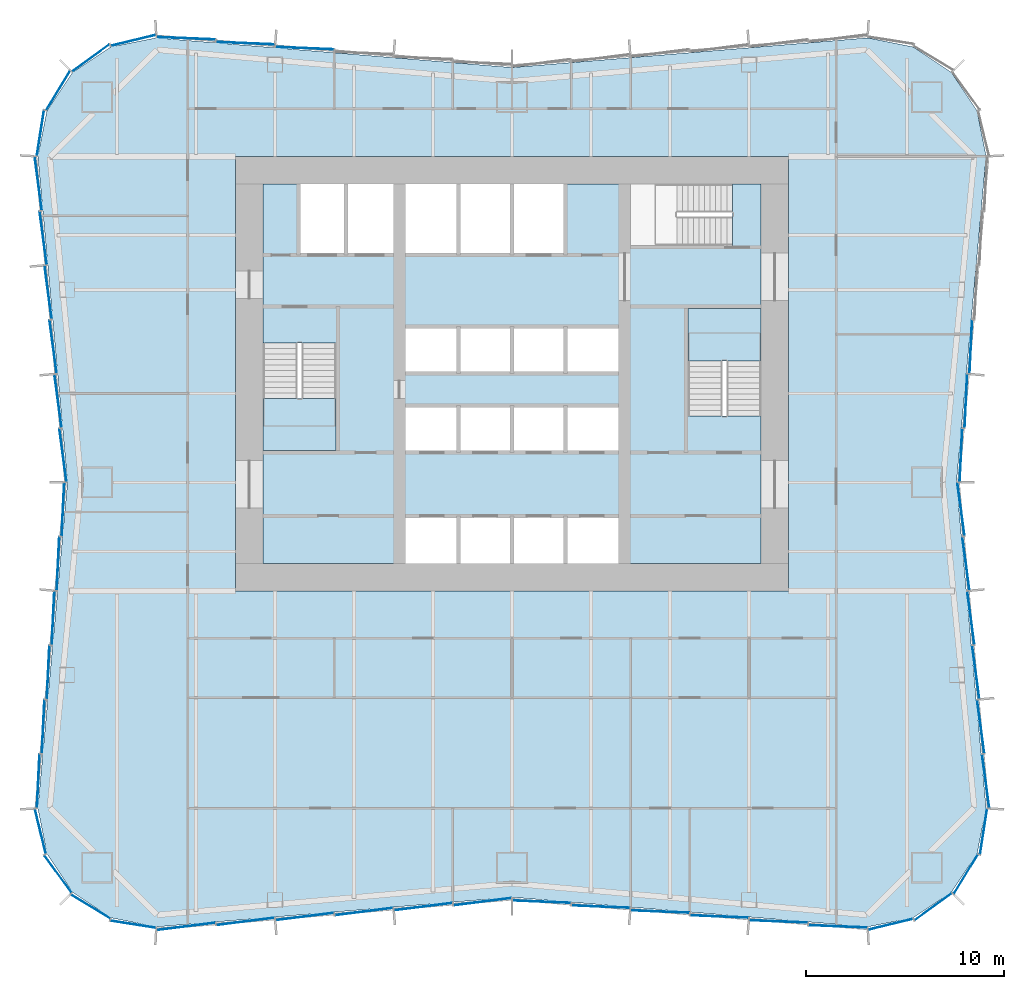
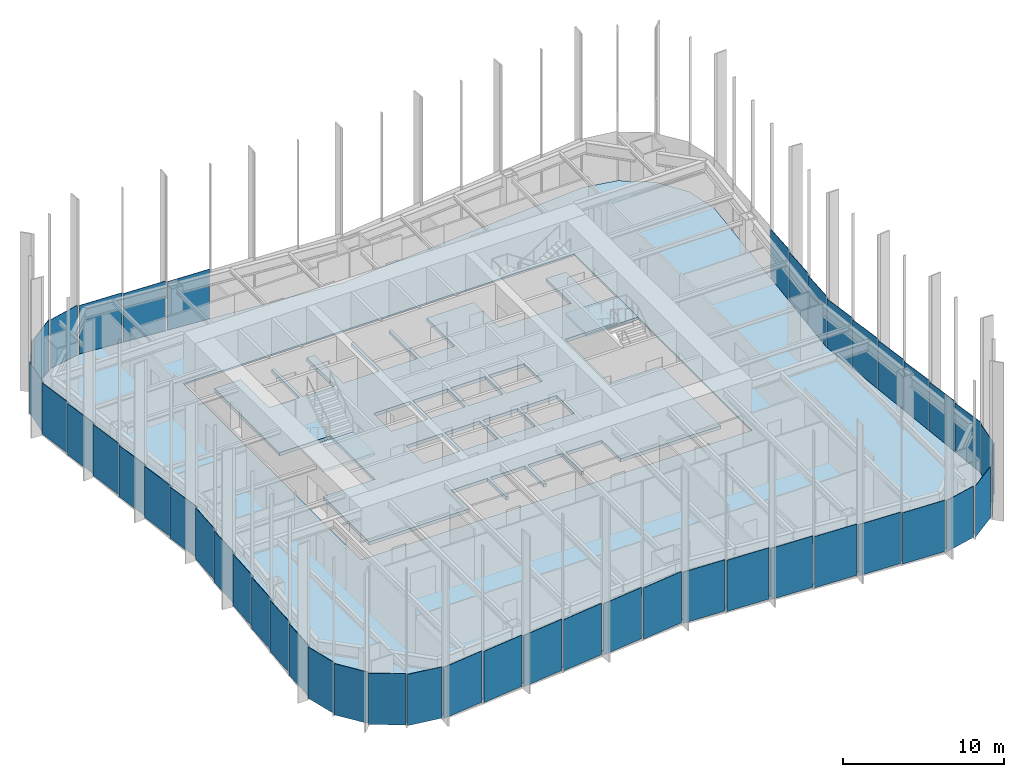
# One storey, part 8 of 13: 48 plates, 4 slabs, 9 elements without a shape of their own.
"""IFC4 building model written with IfcOpenShell, lengths in metres."""

from ifc_helpers import new_model, si_unit, direction, frame, origin, origin_2d, place, context, subcontext, project, spatial, polyline, rectangle, outline, extrude, material, layer, layer_set, type_object, element, aggregate, save


model = new_model("IFC4")

# Units and contexts
model_context = context("Model", 3, precision=1e-05, world=origin(), true_north=direction((0.0, 1.0)))
body_context = subcontext(model_context, "Body", "Model", "MODEL_VIEW")
ifc_project = project(units=[si_unit("LENGTHUNIT", "METRE"), si_unit("AREAUNIT", "SQUARE_METRE"), si_unit("VOLUMEUNIT", "CUBIC_METRE"), si_unit("PLANEANGLEUNIT", "RADIAN"), si_unit("MASSUNIT", "GRAM", prefix="KILO")], contexts=[model_context])

# Site, building, storey
site_placement = place(None, origin())
site = spatial("IfcSite", under=ifc_project, at=site_placement, CompositionType="ELEMENT")
building_placement = place(site_placement, origin())
building = spatial("IfcBuilding", under=site, at=building_placement, Name="Verdant Reach Tower", CompositionType="ELEMENT")
storey_placement = place(building_placement, frame((0.0, 0.0, 14.0)))
storey = spatial("IfcBuildingStorey", under=building, at=storey_placement, Name="L02", CompositionType="ELEMENT", Elevation=14.0)

# Stair, slab
ifc_material_1 = material(Name="Concrete C40/50", Category="concrete")
stair_type = type_object("IfcStairType", Name="CO-STAIR", PredefinedType="HALF_TURN_STAIR", material=ifc_material_1)
stair_1_placement = place(storey_placement, origin())
stair_1 = element("IfcStair", 1, at=stair_1_placement, inside=storey, type_object=stair_type, Name="L02 Exit stair 1", PredefinedType="HALF_TURN_STAIR")
ifc_layer_1 = layer(ifc_material_1, 0.199951171875)
ifc_layer_set_1 = layer_set([ifc_layer_1], Name="CO-STAIR-LANDING")
slab_type_1 = type_object("IfcSlabType", Name="CO-STAIR-LANDING", PredefinedType="LANDING", material=ifc_layer_set_1)
slab_1_placement = place(storey_placement, frame((0.0, 0.0, 1.800048828125)))
slab_1 = element("IfcSlab", 2, at=slab_1_placement, type_object=slab_type_1, Name="ST-1 landing 1", PredefinedType="LANDING", context=body_context, shape_type="SweptSolid", body=[
    extrude(outline(polyline([(-12.60009765625, 26.75), (-12.60009765625, 24.10009765625), (-8.89990234375, 24.10009765625), (-8.89990234375, 26.75), (-12.60009765625, 26.75)])), origin(), (0.0, 0.0, 1.0), 0.199951171875),
])
aggregate(stair_1, [slab_1])

stair_2_placement = place(storey_placement, origin())
stair_2 = element("IfcStair", 3, at=stair_2_placement, inside=storey, type_object=stair_type, Name="L02 Exit stair 2", PredefinedType="HALF_TURN_STAIR")
slab_2_placement = place(storey_placement, frame((0.0, 0.0, 1.800048828125)))
slab_2 = element("IfcSlab", 4, at=slab_2_placement, type_object=slab_type_1, Name="ST-2 landing 1", PredefinedType="LANDING", context=body_context, shape_type="SweptSolid", body=[
    extrude(outline(polyline([(12.60009765625, 28.64990234375), (12.60009765625, 31.300048828125), (8.89990234375, 31.300048828125), (8.89990234375, 28.64990234375), (12.60009765625, 28.64990234375)])), origin(), (0.0, 0.0, 1.0), 0.199951171875),
])
aggregate(stair_2, [slab_2])

# Curtain wall, plates
ifc_material_2 = material(Name="Anodised aluminium", Category="aluminium")
curtain_wall_type = type_object("IfcCurtainWallType", Name="EN-CW SYSTEM Z0", PredefinedType="NOTDEFINED", material=ifc_material_2)
curtain_wall_1_placement = place(storey_placement, origin())
curtain_wall_1 = element("IfcCurtainWall", 5, at=curtain_wall_1_placement, inside=storey, type_object=curtain_wall_type, Name="Curtain wall south-east corner, L02", PredefinedType="NOTDEFINED")
ifc_material_3 = material(Name="Tinted glass with champagne spandrel", Category="glass")
ifc_layer_2 = layer(ifc_material_3, 0.031982421875)
ifc_layer_set_2 = layer_set([ifc_layer_2], Name="EN-PANEL CHAMPAGNE")
plate_type_1 = type_object("IfcPlateType", Name="EN-PANEL CHAMPAGNE", PredefinedType="CURTAIN_PANEL", material=ifc_layer_set_2)
plate_1_placement = place(storey_placement, frame((22.974609375, 2.67626953125, -0.22998046875), z_axis=(0.0, 0.0, 1.0), x_axis=(0.520291583159, 0.853988681713, 0.0)))
plate_1 = element("IfcPlate", 6, at=plate_1_placement, type_object=plate_type_1, Name="Glass panel south-east corner 3.1, L02", PredefinedType="CURTAIN_PANEL", context=body_context, shape_type="SweptSolid", body=[
    extrude(rectangle(XDim=2.32421875, YDim=0.031982421875, at=origin_2d()), origin(), (0.0, 0.0, 1.0), 3.8798828125),
])
plate_2_placement = place(storey_placement, frame((23.86767578125, 4.830078125, -0.22998046875), z_axis=(0.0, 0.0, 1.0), x_axis=(0.154210737778, 0.988037979206, 0.0)))
plate_2 = element("IfcPlate", 7, at=plate_2_placement, type_object=plate_type_1, Name="Glass panel south-east corner 4.1, L02", PredefinedType="CURTAIN_PANEL", context=body_context, shape_type="SweptSolid", body=[
    extrude(rectangle(XDim=2.31884765625, YDim=0.031982421875, at=origin_2d()), origin(), (0.0, 0.0, 1.0), 3.8798828125),
])

curtain_wall_2_placement = place(storey_placement, origin())
curtain_wall_2 = element("IfcCurtainWall", 8, at=curtain_wall_2_placement, inside=storey, type_object=curtain_wall_type, Name="Curtain wall east, L02", PredefinedType="NOTDEFINED")
plate_3_placement = place(storey_placement, frame((23.724609375, 10.134033203125, -0.22998046875), z_axis=(0.0, 0.0, 1.0), x_axis=(-0.132160009881, 0.99122839537, 0.0)))
plate_3 = element("IfcPlate", 9, at=plate_3_placement, type_object=plate_type_1, Name="Glass panel east face part 1 2.1, L02", PredefinedType="CURTAIN_PANEL", context=body_context, shape_type="SweptSolid", body=[
    extrude(rectangle(XDim=2.705322265625, YDim=0.031982421875, at=origin_2d()), origin(), (0.0, 0.0, 1.0), 3.8798828125),
])
plate_4_placement = place(storey_placement, frame((23.474609375, 12.884033203125, -0.22998046875), z_axis=(0.0, 0.0, 1.0), x_axis=(-0.132160009881, 0.99122839537, 0.0)))
plate_4 = element("IfcPlate", 10, at=plate_4_placement, type_object=plate_type_1, Name="Glass panel east face part 1 3.1, L02", PredefinedType="CURTAIN_PANEL", context=body_context, shape_type="SweptSolid", body=[
    extrude(rectangle(XDim=2.705322265625, YDim=0.031982421875, at=origin_2d()), origin(), (0.0, 0.0, 1.0), 3.8798828125),
])
plate_5_placement = place(storey_placement, frame((23.224609375, 29.365966796875, -0.22998046875), z_axis=(0.0, 0.0, 1.0), x_axis=(0.04875265175, 0.998810882473, 0.0)))
plate_5 = element("IfcPlate", 11, at=plate_5_placement, type_object=plate_type_1, Name="Glass panel east face part 2 3.1, L02", PredefinedType="CURTAIN_PANEL", context=body_context, shape_type="SweptSolid", body=[
    extrude(rectangle(XDim=2.705322265625, YDim=0.031982421875, at=origin_2d()), origin(), (0.0, 0.0, 1.0), 3.8798828125),
])

# Curtain wall, plate
curtain_wall_3_placement = place(storey_placement, origin())
curtain_wall_3 = element("IfcCurtainWall", 12, at=curtain_wall_3_placement, inside=storey, type_object=curtain_wall_type, Name="Curtain wall north-west corner, L02", PredefinedType="NOTDEFINED")
plate_6_placement = place(storey_placement, frame((-19.169921875, 44.86767578125, -0.22998046875), z_axis=(0.0, 0.0, 1.0), x_axis=(-0.97166347331, -0.236368556782, 0.0)))
plate_6 = element("IfcPlate", 13, at=plate_6_placement, type_object=plate_type_1, Name="Glass panel north-west corner 1.1, L02", PredefinedType="CURTAIN_PANEL", context=body_context, shape_type="SweptSolid", body=[
    extrude(rectangle(XDim=2.318603515625, YDim=0.031982421875, at=origin_2d()), origin(), (0.0, 0.0, 1.0), 3.8798828125),
])

# Curtain wall, plates
curtain_wall_4_placement = place(storey_placement, origin())
curtain_wall_4 = element("IfcCurtainWall", 14, at=curtain_wall_4_placement, inside=storey, type_object=curtain_wall_type, Name="Curtain wall west, L02", PredefinedType="NOTDEFINED")
plate_7_placement = place(storey_placement, frame((-22.724853515625, 23.870361328125, -0.22998046875), z_axis=(0.0, 0.0, 1.0), x_axis=(0.132307913434, -0.991208664229, 0.0)))
plate_7 = element("IfcPlate", 15, at=plate_7_placement, type_object=plate_type_1, Name="Glass panel west face part 1 6.1, L02", PredefinedType="CURTAIN_PANEL", context=body_context, shape_type="SweptSolid", body=[
    extrude(rectangle(XDim=2.6962890625, YDim=0.031982421875, at=origin_2d()), origin(), (0.0, 0.0, 1.0), 3.8798828125),
])
plate_8_placement = place(storey_placement, frame((-22.724853515625, 21.129638671875, -0.22998046875), z_axis=(0.0, 0.0, 1.0), x_axis=(-0.048901687644, -0.998803596782, 0.0)))
plate_8 = element("IfcPlate", 16, at=plate_8_placement, type_object=plate_type_1, Name="Glass panel west face part 2 1.1, L02", PredefinedType="CURTAIN_PANEL", context=body_context, shape_type="SweptSolid", body=[
    extrude(rectangle(XDim=2.6962890625, YDim=0.031982421875, at=origin_2d()), origin(), (0.0, 0.0, 1.0), 3.8798828125),
])

curtain_wall_5_placement = place(storey_placement, origin())
curtain_wall_5 = element("IfcCurtainWall", 17, at=curtain_wall_5_placement, inside=storey, type_object=curtain_wall_type, Name="Curtain wall south, L02", PredefinedType="NOTDEFINED")
plate_9_placement = place(storey_placement, frame((-10.49169921875, 0.525390625, -0.22998046875), z_axis=(0.0, 0.0, 1.0), x_axis=(0.992194034542, 0.124703639961, 0.0)))
plate_9 = element("IfcPlate", 18, at=plate_9_placement, type_object=plate_type_1, Name="Glass panel south face part 1 3.1, L02", PredefinedType="CURTAIN_PANEL", context=body_context, shape_type="SweptSolid", body=[
    extrude(rectangle(XDim=2.954345703125, YDim=0.031982421875, at=origin_2d()), origin(), (0.0, 0.0, 1.0), 3.8798828125),
])
plate_10_placement = place(storey_placement, frame((-7.49169921875, 0.775390625, -0.22998046875), z_axis=(0.0, 0.0, 1.0), x_axis=(0.992194034542, 0.124703639961, 0.0)))
plate_10 = element("IfcPlate", 19, at=plate_10_placement, type_object=plate_type_1, Name="Glass panel south face part 1 4.1, L02", PredefinedType="CURTAIN_PANEL", context=body_context, shape_type="SweptSolid", body=[
    extrude(rectangle(XDim=2.954345703125, YDim=0.031982421875, at=origin_2d()), origin(), (0.0, 0.0, 1.0), 3.8798828125),
])
plate_11_placement = place(storey_placement, frame((-4.49169921875, 1.025390625, -0.22998046875), z_axis=(0.0, 0.0, 1.0), x_axis=(0.992194034542, 0.124703639961, 0.0)))
plate_11 = element("IfcPlate", 20, at=plate_11_placement, type_object=plate_type_1, Name="Glass panel south face part 1 5.1, L02", PredefinedType="CURTAIN_PANEL", context=body_context, shape_type="SweptSolid", body=[
    extrude(rectangle(XDim=2.954345703125, YDim=0.031982421875, at=origin_2d()), origin(), (0.0, 0.0, 1.0), 3.8798828125),
])
plate_12_placement = place(storey_placement, frame((13.49169921875, 0.275390625, -0.22998046875), z_axis=(0.0, 0.0, 1.0), x_axis=(0.999149202059, -0.041241629766, 0.0)))
plate_12 = element("IfcPlate", 21, at=plate_12_placement, type_object=plate_type_1, Name="Glass panel south face part 2 5.1, L02", PredefinedType="CURTAIN_PANEL", context=body_context, shape_type="SweptSolid", body=[
    extrude(rectangle(XDim=2.954345703125, YDim=0.031982421875, at=origin_2d()), origin(), (0.0, 0.0, 1.0), 3.8798828125),
])
plate_13_placement = place(storey_placement, frame((16.498779296875, 0.025146484375, -0.22998046875), z_axis=(0.0, 0.0, 1.0), x_axis=(0.999162442933, -0.040919587398, 0.0)))
plate_13 = element("IfcPlate", 22, at=plate_13_placement, type_object=plate_type_1, Name="Glass panel south face part 2 6.1, L02", PredefinedType="CURTAIN_PANEL", context=body_context, shape_type="SweptSolid", body=[
    extrude(rectangle(XDim=2.96826171875, YDim=0.031982421875, at=origin_2d()), origin(), (0.0, 0.0, 1.0), 3.8798828125),
])

# Plate
ifc_material_4 = material(Name="Tinted glass with copper spandrel", Category="glass")
ifc_layer_3 = layer(ifc_material_4, 0.031982421875)
ifc_layer_set_3 = layer_set([ifc_layer_3], Name="EN-PANEL COPPER")
plate_type_2 = type_object("IfcPlateType", Name="EN-PANEL COPPER", PredefinedType="CURTAIN_PANEL", material=ifc_layer_set_3)
plate_14_placement = place(storey_placement, frame((23.224609375, 15.634033203125, -0.22998046875), z_axis=(0.0, 0.0, 1.0), x_axis=(-0.132160009881, 0.99122839537, 0.0)))
plate_14 = element("IfcPlate", 23, at=plate_14_placement, type_object=plate_type_2, Name="Glass panel east face part 1 4.1, L02", PredefinedType="CURTAIN_PANEL", context=body_context, shape_type="SweptSolid", body=[
    extrude(rectangle(XDim=2.705322265625, YDim=0.031982421875, at=origin_2d()), origin(), (0.0, 0.0, 1.0), 3.8798828125),
])

plate_15_placement = place(storey_placement, frame((22.974609375, 18.384033203125, -0.22998046875), z_axis=(0.0, 0.0, 1.0), x_axis=(-0.132160009881, 0.99122839537, 0.0)))
plate_15 = element("IfcPlate", 24, at=plate_15_placement, type_object=plate_type_2, Name="Glass panel east face part 1 5.1, L02", PredefinedType="CURTAIN_PANEL", context=body_context, shape_type="SweptSolid", body=[
    extrude(rectangle(XDim=2.705322265625, YDim=0.031982421875, at=origin_2d()), origin(), (0.0, 0.0, 1.0), 3.8798828125),
])

plate_16_placement = place(storey_placement, frame((22.724853515625, 21.129638671875, -0.22998046875), z_axis=(0.0, 0.0, 1.0), x_axis=(-0.132307913434, 0.991208664229, 0.0)))
plate_16 = element("IfcPlate", 25, at=plate_16_placement, type_object=plate_type_2, Name="Glass panel east face part 1 6.1, L02", PredefinedType="CURTAIN_PANEL", context=body_context, shape_type="SweptSolid", body=[
    extrude(rectangle(XDim=2.6962890625, YDim=0.031982421875, at=origin_2d()), origin(), (0.0, 0.0, 1.0), 3.8798828125),
])

# Curtain wall, plates
curtain_wall_6_placement = place(storey_placement, origin())
curtain_wall_6 = element("IfcCurtainWall", 26, at=curtain_wall_6_placement, inside=storey, type_object=curtain_wall_type, Name="Curtain wall north, L02", PredefinedType="NOTDEFINED")
plate_17_placement = place(storey_placement, frame((-10.49169921875, 44.474609375, -0.22998046875), z_axis=(0.0, 0.0, 1.0), x_axis=(-0.999149202059, 0.041241629766, 0.0)))
plate_17 = element("IfcPlate", 27, at=plate_17_placement, type_object=plate_type_2, Name="Glass panel north face part 2 4.1, L02", PredefinedType="CURTAIN_PANEL", context=body_context, shape_type="SweptSolid", body=[
    extrude(rectangle(XDim=2.954345703125, YDim=0.031982421875, at=origin_2d()), origin(), (0.0, 0.0, 1.0), 3.8798828125),
])
plate_18_placement = place(storey_placement, frame((-13.49169921875, 44.724609375, -0.22998046875), z_axis=(0.0, 0.0, 1.0), x_axis=(-0.999149202059, 0.041241629766, 0.0)))
plate_18 = element("IfcPlate", 28, at=plate_18_placement, type_object=plate_type_2, Name="Glass panel north face part 2 5.1, L02", PredefinedType="CURTAIN_PANEL", context=body_context, shape_type="SweptSolid", body=[
    extrude(rectangle(XDim=2.954345703125, YDim=0.031982421875, at=origin_2d()), origin(), (0.0, 0.0, 1.0), 3.8798828125),
])

# Plate
plate_19_placement = place(storey_placement, frame((-21.32373046875, 43.974609375, -0.22998046875), z_axis=(0.0, 0.0, 1.0), x_axis=(-0.807456745624, -0.589926778461, 0.0)))
plate_19 = element("IfcPlate", 29, at=plate_19_placement, type_object=plate_type_2, Name="Glass panel north-west corner 2.1, L02", PredefinedType="CURTAIN_PANEL", context=body_context, shape_type="SweptSolid", body=[
    extrude(rectangle(XDim=2.32421875, YDim=0.031982421875, at=origin_2d()), origin(), (0.0, 0.0, 1.0), 3.8798828125),
])

plate_20_placement = place(storey_placement, frame((-22.974609375, 42.32373046875, -0.22998046875), z_axis=(0.0, 0.0, 1.0), x_axis=(-0.520291583159, -0.853988681713, 0.0)))
plate_20 = element("IfcPlate", 30, at=plate_20_placement, type_object=plate_type_2, Name="Glass panel north-west corner 3.1, L02", PredefinedType="CURTAIN_PANEL", context=body_context, shape_type="SweptSolid", body=[
    extrude(rectangle(XDim=2.32421875, YDim=0.031982421875, at=origin_2d()), origin(), (0.0, 0.0, 1.0), 3.8798828125),
])

plate_21_placement = place(storey_placement, frame((-23.86767578125, 40.169921875, -0.22998046875), z_axis=(0.0, 0.0, 1.0), x_axis=(-0.154210737778, -0.988037979206, 0.0)))
plate_21 = element("IfcPlate", 31, at=plate_21_placement, type_object=plate_type_2, Name="Glass panel north-west corner 4.1, L02", PredefinedType="CURTAIN_PANEL", context=body_context, shape_type="SweptSolid", body=[
    extrude(rectangle(XDim=2.31884765625, YDim=0.031982421875, at=origin_2d()), origin(), (0.0, 0.0, 1.0), 3.8798828125),
])

aggregate(curtain_wall_3, [plate_6, plate_19, plate_20, plate_21])

plate_22_placement = place(storey_placement, frame((-23.974609375, 37.623046875, -0.22998046875), z_axis=(0.0, 0.0, 1.0), x_axis=(0.131792939527, -0.991277267514, 0.0)))
plate_22 = element("IfcPlate", 32, at=plate_22_placement, type_object=plate_type_2, Name="Glass panel west face part 1 1.1, L02", PredefinedType="CURTAIN_PANEL", context=body_context, shape_type="SweptSolid", body=[
    extrude(rectangle(XDim=2.7197265625, YDim=0.031982421875, at=origin_2d()), origin(), (0.0, 0.0, 1.0), 3.8798828125),
])

plate_23_placement = place(storey_placement, frame((-23.724609375, 34.865966796875, -0.22998046875), z_axis=(0.0, 0.0, 1.0), x_axis=(0.132160009881, -0.99122839537, 0.0)))
plate_23 = element("IfcPlate", 33, at=plate_23_placement, type_object=plate_type_2, Name="Glass panel west face part 1 2.1, L02", PredefinedType="CURTAIN_PANEL", context=body_context, shape_type="SweptSolid", body=[
    extrude(rectangle(XDim=2.705322265625, YDim=0.031982421875, at=origin_2d()), origin(), (0.0, 0.0, 1.0), 3.8798828125),
])

plate_24_placement = place(storey_placement, frame((-22.974609375, 18.384033203125, -0.22998046875), z_axis=(0.0, 0.0, 1.0), x_axis=(-0.04875265175, -0.998810882473, 0.0)))
plate_24 = element("IfcPlate", 34, at=plate_24_placement, type_object=plate_type_2, Name="Glass panel west face part 2 2.1, L02", PredefinedType="CURTAIN_PANEL", context=body_context, shape_type="SweptSolid", body=[
    extrude(rectangle(XDim=2.705322265625, YDim=0.031982421875, at=origin_2d()), origin(), (0.0, 0.0, 1.0), 3.8798828125),
])

plate_25_placement = place(storey_placement, frame((-23.224609375, 15.634033203125, -0.22998046875), z_axis=(0.0, 0.0, 1.0), x_axis=(-0.04875265175, -0.998810882473, 0.0)))
plate_25 = element("IfcPlate", 35, at=plate_25_placement, type_object=plate_type_2, Name="Glass panel west face part 2 3.1, L02", PredefinedType="CURTAIN_PANEL", context=body_context, shape_type="SweptSolid", body=[
    extrude(rectangle(XDim=2.705322265625, YDim=0.031982421875, at=origin_2d()), origin(), (0.0, 0.0, 1.0), 3.8798828125),
])

plate_26_placement = place(storey_placement, frame((-23.474609375, 12.884033203125, -0.22998046875), z_axis=(0.0, 0.0, 1.0), x_axis=(-0.04875265175, -0.998810882473, 0.0)))
plate_26 = element("IfcPlate", 36, at=plate_26_placement, type_object=plate_type_2, Name="Glass panel west face part 2 4.1, L02", PredefinedType="CURTAIN_PANEL", context=body_context, shape_type="SweptSolid", body=[
    extrude(rectangle(XDim=2.705322265625, YDim=0.031982421875, at=origin_2d()), origin(), (0.0, 0.0, 1.0), 3.8798828125),
])

# Curtain wall, plates
curtain_wall_7_placement = place(storey_placement, origin())
curtain_wall_7 = element("IfcCurtainWall", 37, at=curtain_wall_7_placement, inside=storey, type_object=curtain_wall_type, Name="Curtain wall south-west corner, L02", PredefinedType="NOTDEFINED")
plate_27_placement = place(storey_placement, frame((-23.86767578125, 4.830078125, -0.22998046875), z_axis=(0.0, 0.0, 1.0), x_axis=(0.236346786246, -0.97166876899, 0.0)))
plate_27 = element("IfcPlate", 38, at=plate_27_placement, type_object=plate_type_2, Name="Glass panel south-west corner 1.1, L02", PredefinedType="CURTAIN_PANEL", context=body_context, shape_type="SweptSolid", body=[
    extrude(rectangle(XDim=2.31884765625, YDim=0.031982421875, at=origin_2d()), origin(), (0.0, 0.0, 1.0), 3.8798828125),
])
plate_28_placement = place(storey_placement, frame((-22.974609375, 2.67626953125, -0.22998046875), z_axis=(0.0, 0.0, 1.0), x_axis=(0.589926778461, -0.807456745624, 0.0)))
plate_28 = element("IfcPlate", 39, at=plate_28_placement, type_object=plate_type_2, Name="Glass panel south-west corner 2.1, L02", PredefinedType="CURTAIN_PANEL", context=body_context, shape_type="SweptSolid", body=[
    extrude(rectangle(XDim=2.32421875, YDim=0.031982421875, at=origin_2d()), origin(), (0.0, 0.0, 1.0), 3.8798828125),
])

# Plate
plate_29_placement = place(storey_placement, frame((-1.495849609375, 1.275146484375, -0.22998046875), z_axis=(0.0, 0.0, 1.0), x_axis=(0.992179679439, 0.124817802047, 0.0)))
plate_29 = element("IfcPlate", 40, at=plate_29_placement, type_object=plate_type_2, Name="Glass panel south face part 1 6.1, L02", PredefinedType="CURTAIN_PANEL", context=body_context, shape_type="SweptSolid", body=[
    extrude(rectangle(XDim=2.946044921875, YDim=0.031982421875, at=origin_2d()), origin(), (0.0, 0.0, 1.0), 3.8798828125),
])

plate_30_placement = place(storey_placement, frame((1.495849609375, 1.275146484375, -0.22998046875), z_axis=(0.0, 0.0, 1.0), x_axis=(0.999144450138, -0.041356592674, 0.0)))
plate_30 = element("IfcPlate", 41, at=plate_30_placement, type_object=plate_type_2, Name="Glass panel south face part 2 1.1, L02", PredefinedType="CURTAIN_PANEL", context=body_context, shape_type="SweptSolid", body=[
    extrude(rectangle(XDim=2.946044921875, YDim=0.031982421875, at=origin_2d()), origin(), (0.0, 0.0, 1.0), 3.8798828125),
])

ifc_material_5 = material(Name="Tinted glass with dark bronze spandrel", Category="glass")
ifc_layer_4 = layer(ifc_material_5, 0.031982421875)
ifc_layer_set_4 = layer_set([ifc_layer_4], Name="EN-PANEL DARK")
plate_type_3 = type_object("IfcPlateType", Name="EN-PANEL DARK", PredefinedType="CURTAIN_PANEL", material=ifc_layer_set_4)
plate_31_placement = place(storey_placement, frame((19.169921875, 0.13232421875, -0.22998046875), z_axis=(0.0, 0.0, 1.0), x_axis=(0.97166347331, 0.236368556782, 0.0)))
plate_31 = element("IfcPlate", 42, at=plate_31_placement, type_object=plate_type_3, Name="Glass panel south-east corner 1.1, L02", PredefinedType="CURTAIN_PANEL", context=body_context, shape_type="SweptSolid", body=[
    extrude(rectangle(XDim=2.318603515625, YDim=0.031982421875, at=origin_2d()), origin(), (0.0, 0.0, 1.0), 3.8798828125),
])

plate_32_placement = place(storey_placement, frame((21.32373046875, 1.025390625, -0.22998046875), z_axis=(0.0, 0.0, 1.0), x_axis=(0.807456745624, 0.589926778461, 0.0)))
plate_32 = element("IfcPlate", 43, at=plate_32_placement, type_object=plate_type_3, Name="Glass panel south-east corner 2.1, L02", PredefinedType="CURTAIN_PANEL", context=body_context, shape_type="SweptSolid", body=[
    extrude(rectangle(XDim=2.32421875, YDim=0.031982421875, at=origin_2d()), origin(), (0.0, 0.0, 1.0), 3.8798828125),
])

aggregate(curtain_wall_1, [plate_31, plate_32, plate_1, plate_2])

plate_33_placement = place(storey_placement, frame((23.974609375, 7.376953125, -0.22998046875), z_axis=(0.0, 0.0, 1.0), x_axis=(-0.131792939527, 0.991277267514, 0.0)))
plate_33 = element("IfcPlate", 44, at=plate_33_placement, type_object=plate_type_3, Name="Glass panel east face part 1 1.1, L02", PredefinedType="CURTAIN_PANEL", context=body_context, shape_type="SweptSolid", body=[
    extrude(rectangle(XDim=2.7197265625, YDim=0.031982421875, at=origin_2d()), origin(), (0.0, 0.0, 1.0), 3.8798828125),
])

plate_34_placement = place(storey_placement, frame((22.724853515625, 23.870361328125, -0.22998046875), z_axis=(0.0, 0.0, 1.0), x_axis=(0.048901687644, 0.998803596782, 0.0)))
plate_34 = element("IfcPlate", 45, at=plate_34_placement, type_object=plate_type_3, Name="Glass panel east face part 2 1.1, L02", PredefinedType="CURTAIN_PANEL", context=body_context, shape_type="SweptSolid", body=[
    extrude(rectangle(XDim=2.6962890625, YDim=0.031982421875, at=origin_2d()), origin(), (0.0, 0.0, 1.0), 3.8798828125),
])

plate_35_placement = place(storey_placement, frame((22.974609375, 26.615966796875, -0.22998046875), z_axis=(0.0, 0.0, 1.0), x_axis=(0.04875265175, 0.998810882473, 0.0)))
plate_35 = element("IfcPlate", 46, at=plate_35_placement, type_object=plate_type_3, Name="Glass panel east face part 2 2.1, L02", PredefinedType="CURTAIN_PANEL", context=body_context, shape_type="SweptSolid", body=[
    extrude(rectangle(XDim=2.705322265625, YDim=0.031982421875, at=origin_2d()), origin(), (0.0, 0.0, 1.0), 3.8798828125),
])

aggregate(curtain_wall_2, [plate_33, plate_3, plate_4, plate_14, plate_15, plate_16, plate_34, plate_35, plate_5])

plate_36_placement = place(storey_placement, frame((-16.498779296875, 44.974853515625, -0.22998046875), z_axis=(0.0, 0.0, 1.0), x_axis=(-0.999162442933, 0.040919587398, 0.0)))
plate_36 = element("IfcPlate", 47, at=plate_36_placement, type_object=plate_type_3, Name="Glass panel north face part 2 6.1, L02", PredefinedType="CURTAIN_PANEL", context=body_context, shape_type="SweptSolid", body=[
    extrude(rectangle(XDim=2.96826171875, YDim=0.031982421875, at=origin_2d()), origin(), (0.0, 0.0, 1.0), 3.8798828125),
])

aggregate(curtain_wall_6, [plate_17, plate_18, plate_36])

plate_37_placement = place(storey_placement, frame((-23.474609375, 32.115966796875, -0.22998046875), z_axis=(0.0, 0.0, 1.0), x_axis=(0.132160009881, -0.99122839537, 0.0)))
plate_37 = element("IfcPlate", 48, at=plate_37_placement, type_object=plate_type_3, Name="Glass panel west face part 1 3.1, L02", PredefinedType="CURTAIN_PANEL", context=body_context, shape_type="SweptSolid", body=[
    extrude(rectangle(XDim=2.705322265625, YDim=0.031982421875, at=origin_2d()), origin(), (0.0, 0.0, 1.0), 3.8798828125),
])

plate_38_placement = place(storey_placement, frame((-23.224609375, 29.365966796875, -0.22998046875), z_axis=(0.0, 0.0, 1.0), x_axis=(0.132160009881, -0.99122839537, 0.0)))
plate_38 = element("IfcPlate", 49, at=plate_38_placement, type_object=plate_type_3, Name="Glass panel west face part 1 4.1, L02", PredefinedType="CURTAIN_PANEL", context=body_context, shape_type="SweptSolid", body=[
    extrude(rectangle(XDim=2.705322265625, YDim=0.031982421875, at=origin_2d()), origin(), (0.0, 0.0, 1.0), 3.8798828125),
])

plate_39_placement = place(storey_placement, frame((-22.974609375, 26.615966796875, -0.22998046875), z_axis=(0.0, 0.0, 1.0), x_axis=(0.132160009881, -0.99122839537, 0.0)))
plate_39 = element("IfcPlate", 50, at=plate_39_placement, type_object=plate_type_3, Name="Glass panel west face part 1 5.1, L02", PredefinedType="CURTAIN_PANEL", context=body_context, shape_type="SweptSolid", body=[
    extrude(rectangle(XDim=2.705322265625, YDim=0.031982421875, at=origin_2d()), origin(), (0.0, 0.0, 1.0), 3.8798828125),
])

plate_40_placement = place(storey_placement, frame((-23.724609375, 10.134033203125, -0.22998046875), z_axis=(0.0, 0.0, 1.0), x_axis=(-0.04875265175, -0.998810882473, 0.0)))
plate_40 = element("IfcPlate", 51, at=plate_40_placement, type_object=plate_type_3, Name="Glass panel west face part 2 5.1, L02", PredefinedType="CURTAIN_PANEL", context=body_context, shape_type="SweptSolid", body=[
    extrude(rectangle(XDim=2.705322265625, YDim=0.031982421875, at=origin_2d()), origin(), (0.0, 0.0, 1.0), 3.8798828125),
])

plate_41_placement = place(storey_placement, frame((-23.974609375, 7.376953125, -0.22998046875), z_axis=(0.0, 0.0, 1.0), x_axis=(-0.048382779248, -0.998828867561, 0.0)))
plate_41 = element("IfcPlate", 52, at=plate_41_placement, type_object=plate_type_3, Name="Glass panel west face part 2 6.1, L02", PredefinedType="CURTAIN_PANEL", context=body_context, shape_type="SweptSolid", body=[
    extrude(rectangle(XDim=2.7197265625, YDim=0.031982421875, at=origin_2d()), origin(), (0.0, 0.0, 1.0), 3.8798828125),
])

aggregate(curtain_wall_4, [plate_22, plate_23, plate_37, plate_38, plate_39, plate_7, plate_8, plate_24, plate_25, plate_26, plate_40, plate_41])

plate_42_placement = place(storey_placement, frame((-21.32373046875, 1.025390625, -0.22998046875), z_axis=(0.0, 0.0, 1.0), x_axis=(0.853988681713, -0.520291583159, 0.0)))
plate_42 = element("IfcPlate", 53, at=plate_42_placement, type_object=plate_type_3, Name="Glass panel south-west corner 3.1, L02", PredefinedType="CURTAIN_PANEL", context=body_context, shape_type="SweptSolid", body=[
    extrude(rectangle(XDim=2.32421875, YDim=0.031982421875, at=origin_2d()), origin(), (0.0, 0.0, 1.0), 3.8798828125),
])

plate_43_placement = place(storey_placement, frame((-19.169921875, 0.13232421875, -0.22998046875), z_axis=(0.0, 0.0, 1.0), x_axis=(0.98803452381, -0.154232875093, 0.0)))
plate_43 = element("IfcPlate", 54, at=plate_43_placement, type_object=plate_type_3, Name="Glass panel south-west corner 4.1, L02", PredefinedType="CURTAIN_PANEL", context=body_context, shape_type="SweptSolid", body=[
    extrude(rectangle(XDim=2.318603515625, YDim=0.031982421875, at=origin_2d()), origin(), (0.0, 0.0, 1.0), 3.8798828125),
])

aggregate(curtain_wall_7, [plate_27, plate_28, plate_42, plate_43])

plate_44_placement = place(storey_placement, frame((-16.498779296875, 0.025146484375, -0.22998046875), z_axis=(0.0, 0.0, 1.0), x_axis=(0.992234176789, 0.124383835008, 0.0)))
plate_44 = element("IfcPlate", 55, at=plate_44_placement, type_object=plate_type_3, Name="Glass panel south face part 1 1.1, L02", PredefinedType="CURTAIN_PANEL", context=body_context, shape_type="SweptSolid", body=[
    extrude(rectangle(XDim=2.96826171875, YDim=0.031982421875, at=origin_2d()), origin(), (0.0, 0.0, 1.0), 3.8798828125),
])

plate_45_placement = place(storey_placement, frame((-13.49169921875, 0.275390625, -0.22998046875), z_axis=(0.0, 0.0, 1.0), x_axis=(0.992194034542, 0.124703639961, 0.0)))
plate_45 = element("IfcPlate", 56, at=plate_45_placement, type_object=plate_type_3, Name="Glass panel south face part 1 2.1, L02", PredefinedType="CURTAIN_PANEL", context=body_context, shape_type="SweptSolid", body=[
    extrude(rectangle(XDim=2.954345703125, YDim=0.031982421875, at=origin_2d()), origin(), (0.0, 0.0, 1.0), 3.8798828125),
])

plate_46_placement = place(storey_placement, frame((4.49169921875, 1.025390625, -0.22998046875), z_axis=(0.0, 0.0, 1.0), x_axis=(0.999149202059, -0.041241629766, 0.0)))
plate_46 = element("IfcPlate", 57, at=plate_46_placement, type_object=plate_type_3, Name="Glass panel south face part 2 2.1, L02", PredefinedType="CURTAIN_PANEL", context=body_context, shape_type="SweptSolid", body=[
    extrude(rectangle(XDim=2.954345703125, YDim=0.031982421875, at=origin_2d()), origin(), (0.0, 0.0, 1.0), 3.8798828125),
])

plate_47_placement = place(storey_placement, frame((7.49169921875, 0.775390625, -0.22998046875), z_axis=(0.0, 0.0, 1.0), x_axis=(0.999149202059, -0.041241629766, 0.0)))
plate_47 = element("IfcPlate", 58, at=plate_47_placement, type_object=plate_type_3, Name="Glass panel south face part 2 3.1, L02", PredefinedType="CURTAIN_PANEL", context=body_context, shape_type="SweptSolid", body=[
    extrude(rectangle(XDim=2.954345703125, YDim=0.031982421875, at=origin_2d()), origin(), (0.0, 0.0, 1.0), 3.8798828125),
])

plate_48_placement = place(storey_placement, frame((10.49169921875, 0.525390625, -0.22998046875), z_axis=(0.0, 0.0, 1.0), x_axis=(0.999149202059, -0.041241629766, 0.0)))
plate_48 = element("IfcPlate", 59, at=plate_48_placement, type_object=plate_type_3, Name="Glass panel south face part 2 4.1, L02", PredefinedType="CURTAIN_PANEL", context=body_context, shape_type="SweptSolid", body=[
    extrude(rectangle(XDim=2.954345703125, YDim=0.031982421875, at=origin_2d()), origin(), (0.0, 0.0, 1.0), 3.8798828125),
])

aggregate(curtain_wall_5, [plate_44, plate_45, plate_9, plate_10, plate_11, plate_29, plate_30, plate_46, plate_47, plate_48, plate_12, plate_13])

# Slabs
ifc_material_6 = material(Name="Concrete C35/45", Category="concrete")
ifc_layer_5 = layer(ifc_material_6, 0.1298828125)
ifc_layer_set_5 = layer_set([ifc_layer_5], Name="ST-SLAB-130")
slab_type_2 = type_object("IfcSlabType", Name="ST-SLAB-130", PredefinedType="FLOOR", material=ifc_layer_set_5)
slab_3_placement = place(storey_placement, frame((0.0, 0.0, -0.1298828125)))
element("IfcSlab", 60, at=slab_3_placement, inside=storey, type_object=slab_type_2, Name="Floor slab L02", PredefinedType="FLOOR", context=body_context, shape_type="SweptSolid", body=[
    extrude(outline(polyline([(0.0, 1.5), (-18.0, 0.0), (-20.296142578125, 0.456787109375), (-22.24267578125, 1.75732421875), (-23.543212890625, 3.703857421875), (-24.0, 6.0), (-22.5, 22.5), (-24.0, 39.0), (-23.543212890625, 41.296142578125), (-22.24267578125, 43.24267578125), (-20.296142578125, 44.543212890625), (-18.0, 45.0), (0.0, 43.5), (18.0, 45.0), (20.296142578125, 44.543212890625), (22.24267578125, 43.24267578125), (23.543212890625, 41.296142578125), (24.0, 39.0), (22.5, 22.5), (24.0, 6.0), (23.543212890625, 3.703857421875), (22.24267578125, 1.75732421875), (20.296142578125, 0.456787109375), (18.0, 0.0), (0.0, 1.5)]), holes=[polyline([(14.0, 39.0), (-14.0, 39.0), (-14.0, 17.0), (14.0, 17.0), (14.0, 39.0)])]), origin(), (0.0, 0.0, 1.0), 0.1298828125),
])
ifc_layer_6 = layer(ifc_material_6, 0.25)
ifc_layer_set_6 = layer_set([ifc_layer_6], Name="ST-SLAB-250")
slab_type_3 = type_object("IfcSlabType", Name="ST-SLAB-250", PredefinedType="FLOOR", material=ifc_layer_set_6)
slab_4_placement = place(storey_placement, frame((0.0, 0.0, -0.25)))
element("IfcSlab", 61, at=slab_4_placement, inside=storey, type_object=slab_type_3, Name="Core floor slab L02", PredefinedType="FLOOR", context=body_context, shape_type="SweptSolid", body=[
    extrude(outline(polyline([(12.60009765625, 18.39990234375), (5.39990234375, 18.39990234375), (5.39990234375, 20.699951171875), (2.800048828125, 20.699951171875), (2.800048828125, 18.39990234375), (2.60009765625, 18.39990234375), (2.60009765625, 20.699951171875), (0.10009765625, 20.699951171875), (0.10009765625, 18.39990234375), (-0.10009765625, 18.39990234375), (-0.10009765625, 20.699951171875), (-2.60009765625, 20.699951171875), (-2.60009765625, 18.39990234375), (-2.800048828125, 18.39990234375), (-2.800048828125, 20.699951171875), (-5.39990234375, 20.699951171875), (-5.39990234375, 18.39990234375), (-12.60009765625, 18.39990234375), (-12.60009765625, 24.10009765625), (-8.89990234375, 24.10009765625), (-8.89990234375, 29.548095703125), (-12.60009765625, 29.548095703125), (-12.60009765625, 37.60009765625), (-10.699951171875, 37.60009765625), (-10.699951171875, 34.10009765625), (-8.5, 34.10009765625), (-8.5, 37.60009765625), (-8.300048828125, 37.60009765625), (-8.300048828125, 34.10009765625), (-6.0, 34.10009765625), (-6.0, 37.60009765625), (-5.39990234375, 37.60009765625), (-5.39990234375, 34.10009765625), (-2.800048828125, 34.10009765625), (-2.800048828125, 37.60009765625), (-2.60009765625, 37.60009765625), (-2.60009765625, 34.10009765625), (-0.10009765625, 34.10009765625), (-0.10009765625, 37.60009765625), (0.10009765625, 37.60009765625), (0.10009765625, 34.10009765625), (2.60009765625, 34.10009765625), (2.60009765625, 37.60009765625), (6.0, 37.60009765625), (6.0, 34.5), (11.14794921875, 34.5), (11.14794921875, 37.60009765625), (12.60009765625, 37.60009765625), (12.60009765625, 31.300048828125), (8.89990234375, 31.300048828125), (8.89990234375, 25.85205078125), (12.60009765625, 25.85205078125), (12.60009765625, 18.39990234375)]), holes=[polyline([(-2.800048828125, 24.10009765625), (-2.800048828125, 26.300048828125), (-5.39990234375, 26.300048828125), (-5.39990234375, 24.10009765625), (-2.800048828125, 24.10009765625)]), polyline([(-2.60009765625, 24.10009765625), (-0.10009765625, 24.10009765625), (-0.10009765625, 26.300048828125), (-2.60009765625, 26.300048828125), (-2.60009765625, 24.10009765625)]), polyline([(-2.800048828125, 28.10009765625), (-2.800048828125, 30.300048828125), (-5.39990234375, 30.300048828125), (-5.39990234375, 28.10009765625), (-2.800048828125, 28.10009765625)]), polyline([(-0.10009765625, 28.10009765625), (-0.10009765625, 30.300048828125), (-2.60009765625, 30.300048828125), (-2.60009765625, 28.10009765625), (-0.10009765625, 28.10009765625)]), polyline([(2.60009765625, 24.10009765625), (2.60009765625, 26.300048828125), (0.10009765625, 26.300048828125), (0.10009765625, 24.10009765625), (2.60009765625, 24.10009765625)]), polyline([(2.800048828125, 24.10009765625), (5.39990234375, 24.10009765625), (5.39990234375, 26.300048828125), (2.800048828125, 26.300048828125), (2.800048828125, 24.10009765625)]), polyline([(2.60009765625, 28.10009765625), (2.60009765625, 30.300048828125), (0.10009765625, 30.300048828125), (0.10009765625, 28.10009765625), (2.60009765625, 28.10009765625)]), polyline([(5.39990234375, 28.10009765625), (5.39990234375, 30.300048828125), (2.800048828125, 30.300048828125), (2.800048828125, 28.10009765625), (5.39990234375, 28.10009765625)])]), origin(), (0.0, 0.0, 1.0), 0.25),
])

save(model, "model.ifc")
